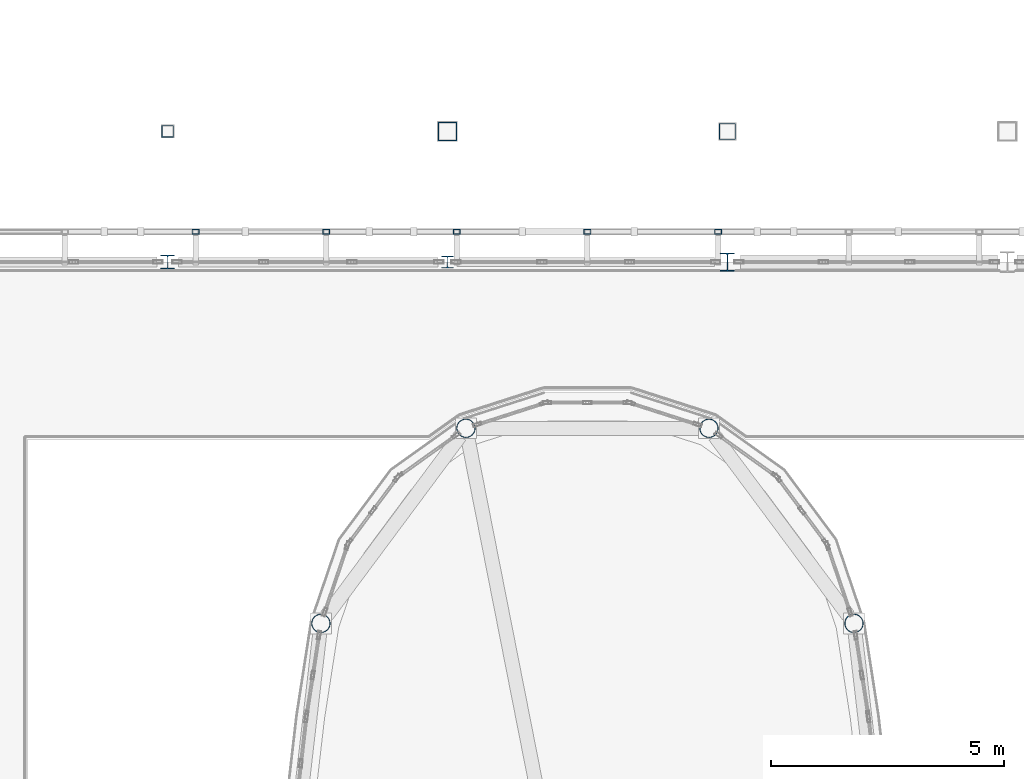
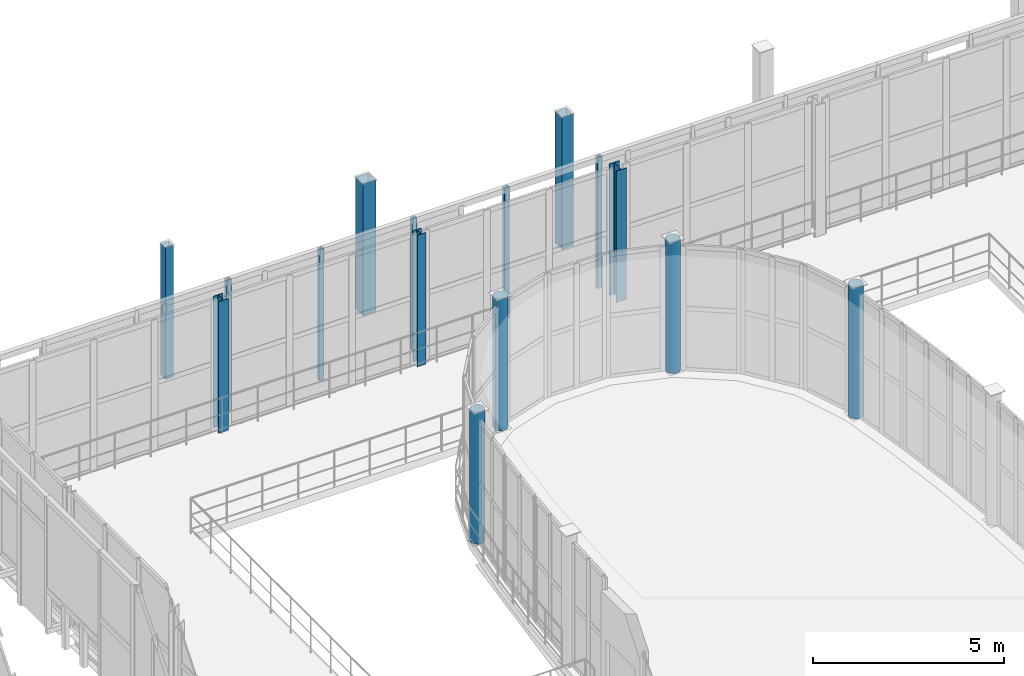
# One storey, part 13 of 121: 15 columns.
"""IFC4 building model written with IfcOpenShell, lengths in metres."""

from ifc_helpers import new_model, si_unit, direction, frame, origin, origin_2d, place, context, subcontext, project, spatial, hollow_rectangle, hollow_circle, i_section, extrude, material, material_profile, profile_set, type_object, element, save


model = new_model("IFC4")

# Units and contexts
model_context = context("Model", 3, precision=1e-05, world=origin(), true_north=direction((0.0, 1.0)))
body_context = subcontext(model_context, "Body", "Model", "MODEL_VIEW")
ifc_project = project(units=[si_unit("LENGTHUNIT", "METRE"), si_unit("AREAUNIT", "SQUARE_METRE"), si_unit("VOLUMEUNIT", "CUBIC_METRE"), si_unit("PLANEANGLEUNIT", "RADIAN"), si_unit("MASSUNIT", "GRAM", prefix="KILO")], contexts=[model_context])

# Site, building, storey
site_placement = place(None, origin())
site = spatial("IfcSite", under=ifc_project, at=site_placement, CompositionType="ELEMENT")
building_placement = place(site_placement, origin())
building = spatial("IfcBuilding", under=site, at=building_placement, Name="Vinh Khe Railworks Police Headquarters", CompositionType="ELEMENT")
storey_placement = place(building_placement, frame((0.0, 0.0, 4.800048828125)))
storey = spatial("IfcBuildingStorey", under=building, at=storey_placement, Name="L01", CompositionType="ELEMENT", Elevation=4.800048828125)

# Columns
ifc_material = material(Name="Steel S355JR", Category="steel")
ifc_material_profile_1 = material_profile(ifc_material, hollow_rectangle(XDim=0.14990234375, YDim=0.10009765625, WallThickness=0.008056640625, at=origin_2d()), Name="RHS 150x100x8")
ifc_profile_set_1 = profile_set([ifc_material_profile_1], Name="Steel S355JR")
column_type_1 = type_object("IfcColumnType", Name="COL-QUILT-POST", PredefinedType="COLUMN", material=ifc_profile_set_1)
for number, where, z_axis, x_axis, name in (
    (1, (34.800048828125, 59.449951171875, 0.0), (0.0, 0.0, 1.0), (1.0, 0.0, 0.0), "Patchwork Quilt Carrier Column N-4 (L01)"),
    (2, (37.60009765625, 59.449951171875, 0.0), (0.0, 0.0, 1.0), (1.0, 0.0, 0.0), "Patchwork Quilt Carrier Column N-5 (L01)"),
    (3, (40.39990234375, 59.449951171875, 0.0), (0.0, 0.0, 1.0), (1.0, 0.0, 0.0), "Patchwork Quilt Carrier Column N-6 (L01)"),
    (4, (43.199951171875, 59.449951171875, 0.0), (0.0, 0.0, 1.0), (1.0, 0.0, 0.0), "Patchwork Quilt Carrier Column N-7 (L01)"),
    (5, (46.0, 59.449951171875, 0.0), (0.0, 0.0, 1.0), (1.0, 0.0, 0.0), "Patchwork Quilt Carrier Column N-8 (L01)"),
):
    element("IfcColumn", number, at=place(storey_placement, frame(where, z_axis=z_axis, x_axis=x_axis)), inside=storey, type_object=column_type_1, Name=name, PredefinedType="COLUMN", context=body_context, shape_type="SweptSolid", body=[
        extrude(hollow_rectangle(XDim=0.14990234375, YDim=0.10009765625, WallThickness=0.008056640625, at=origin_2d()), origin(), (0.0, 0.0, 1.0), 4.199951171875),
    ])
ifc_material_profile_2 = material_profile(ifc_material, hollow_circle(Radius=0.203125, WallThickness=0.01611328125, at=origin_2d()), Name="CHS 406.4x16")
ifc_profile_set_2 = profile_set([ifc_material_profile_2], Name="Steel S355JR")
column_type_2 = type_object("IfcColumnType", Name="Steel Column CHS 406.4x16", PredefinedType="COLUMN", material=ifc_profile_set_2)
for number, where, z_axis, x_axis, name in (
    (6, (37.48681640625, 51.055908203125, 0.0), (0.0, 0.0, 1.0), (-0.988148142789, 0.15350325046, 0.0), "Column COL-L01-SC-26-0846"),
    (7, (40.594970703125, 55.237548828125, 0.0), (0.0, 0.0, 1.0), (-0.581981048437, 0.813202348287, 0.0), "Column COL-L01-SC-26-0885"),
    (8, (45.80517578125, 55.237548828125, 0.0), (0.0, 0.0, 1.0), (0.30552912238, 0.952182732136, 0.0), "Column COL-L01-SC-26-0895"),
    (9, (48.9130859375, 51.055908203125, 0.0), (0.0, 0.0, 1.0), (0.946480392435, 0.322761315426, 0.0), "Column COL-L01-SC-26-0946"),
):
    element("IfcColumn", number, at=place(storey_placement, frame(where, z_axis=z_axis, x_axis=x_axis)), inside=storey, type_object=column_type_2, Name=name, PredefinedType="COLUMN", context=body_context, shape_type="SweptSolid", body=[
        extrude(hollow_circle(Radius=0.203125, WallThickness=0.01611328125, at=origin_2d()), origin(), (0.0, 0.0, 1.0), 4.199951171875),
    ])
ifc_material_profile_3 = material_profile(ifc_material, i_section(OverallWidth=0.300048828125, OverallDepth=0.389892578125, WebThickness=0.010986328125, FlangeThickness=0.01904296875, FilletRadius=0.027099609375, at=origin_2d()), Name="HEA 400")
ifc_profile_set_3 = profile_set([ifc_material_profile_3], Name="Steel S355JR")
column_type_3 = type_object("IfcColumnType", Name="Steel Column HEA 400", PredefinedType="COLUMN", material=ifc_profile_set_3)
column_1_placement = place(storey_placement, frame((46.199951171875, 58.800048828125, 0.0), z_axis=(0.0, 0.0, 1.0), x_axis=(1.0, 0.0, 0.0)))
element("IfcColumn", 10, at=column_1_placement, inside=storey, type_object=column_type_3, Name="Column COL-L01-SC-15-0914", PredefinedType="COLUMN", context=body_context, shape_type="SweptSolid", body=[
    extrude(i_section(OverallWidth=0.300048828125, OverallDepth=0.389892578125, WebThickness=0.010986328125, FlangeThickness=0.01904296875, FilletRadius=0.027099609375, at=origin_2d()), origin(), (0.0, 0.0, 1.0), 4.199951171875),
])
ifc_material_profile_4 = material_profile(ifc_material, i_section(OverallWidth=0.260009765625, OverallDepth=0.260009765625, WebThickness=0.010009765625, FlangeThickness=0.017578125, FilletRadius=0.02392578125, at=origin_2d()), Name="HEB 260")
ifc_profile_set_4 = profile_set([ifc_material_profile_4], Name="Steel S355JR")
column_type_4 = type_object("IfcColumnType", Name="Steel Column HEB 260", PredefinedType="COLUMN", material=ifc_profile_set_4)
column_2_placement = place(storey_placement, frame((40.199951171875, 58.800048828125, 0.0), z_axis=(0.0, 0.0, 1.0), x_axis=(1.0, 0.0, 0.0)))
element("IfcColumn", 11, at=column_2_placement, inside=storey, type_object=column_type_4, Name="Column COL-L01-SC-12-0865", PredefinedType="COLUMN", context=body_context, shape_type="SweptSolid", body=[
    extrude(i_section(OverallWidth=0.260009765625, OverallDepth=0.260009765625, WebThickness=0.010009765625, FlangeThickness=0.017578125, FilletRadius=0.02392578125, at=origin_2d()), origin(), (0.0, 0.0, 1.0), 4.199951171875),
])
ifc_material_profile_5 = material_profile(ifc_material, i_section(OverallWidth=0.300048828125, OverallDepth=0.300048828125, WebThickness=0.010986328125, FlangeThickness=0.01904296875, FilletRadius=0.027099609375, at=origin_2d()), Name="HEB 300")
ifc_profile_set_5 = profile_set([ifc_material_profile_5], Name="Steel S355JR")
column_type_5 = type_object("IfcColumnType", Name="Steel Column HEB 300", PredefinedType="COLUMN", material=ifc_profile_set_5)
column_3_placement = place(storey_placement, frame((34.199951171875, 58.800048828125, 0.0), z_axis=(0.0, 0.0, 1.0), x_axis=(1.0, 0.0, 0.0)))
element("IfcColumn", 12, at=column_3_placement, inside=storey, type_object=column_type_5, Name="Column COL-L01-SC-11-0796", PredefinedType="COLUMN", context=body_context, shape_type="SweptSolid", body=[
    extrude(i_section(OverallWidth=0.300048828125, OverallDepth=0.300048828125, WebThickness=0.010986328125, FlangeThickness=0.01904296875, FilletRadius=0.027099609375, at=origin_2d()), origin(), (0.0, 0.0, 1.0), 4.199951171875),
])
ifc_material_profile_6 = material_profile(ifc_material, hollow_rectangle(XDim=0.25, YDim=0.25, WallThickness=0.012451171875, at=origin_2d()), Name="SHS 250x250x12.5")
ifc_profile_set_6 = profile_set([ifc_material_profile_6], Name="Steel S355JR")
column_type_6 = type_object("IfcColumnType", Name="Steel Column SHS 250x250x12.5", PredefinedType="COLUMN", material=ifc_profile_set_6)
column_4_placement = place(storey_placement, frame((34.199951171875, 61.60009765625, 0.0), z_axis=(0.0, 0.0, 1.0), x_axis=(1.0, 0.0, 0.0)))
element("IfcColumn", 13, at=column_4_placement, inside=storey, type_object=column_type_6, Name="Column COL-L01-SC-24-0801", PredefinedType="COLUMN", context=body_context, shape_type="SweptSolid", body=[
    extrude(hollow_rectangle(XDim=0.25, YDim=0.25, WallThickness=0.012451171875, at=origin_2d()), origin(), (0.0, 0.0, 1.0), 4.199951171875),
])
ifc_material_profile_7 = material_profile(ifc_material, hollow_rectangle(XDim=0.35009765625, YDim=0.35009765625, WallThickness=0.01611328125, at=origin_2d()), Name="SHS 350x350x16")
ifc_profile_set_7 = profile_set([ifc_material_profile_7], Name="Steel S355JR")
column_type_7 = type_object("IfcColumnType", Name="Steel Column SHS 350x350x16", PredefinedType="COLUMN", material=ifc_profile_set_7)
column_5_placement = place(storey_placement, frame((46.199951171875, 61.60009765625, 0.0), z_axis=(0.0, 0.0, 1.0), x_axis=(1.0, 0.0, 0.0)))
element("IfcColumn", 14, at=column_5_placement, inside=storey, type_object=column_type_7, Name="Column COL-L01-SC-22-0919", PredefinedType="COLUMN", context=body_context, shape_type="SweptSolid", body=[
    extrude(hollow_rectangle(XDim=0.35009765625, YDim=0.35009765625, WallThickness=0.01611328125, at=origin_2d()), origin(), (0.0, 0.0, 1.0), 4.199951171875),
])
ifc_material_profile_8 = material_profile(ifc_material, hollow_rectangle(XDim=0.39990234375, YDim=0.39990234375, WallThickness=0.02001953125, at=origin_2d()), Name="SHS 400x400x20")
ifc_profile_set_8 = profile_set([ifc_material_profile_8], Name="Steel S355JR")
column_type_8 = type_object("IfcColumnType", Name="Steel Column SHS 400x400x20", PredefinedType="COLUMN", material=ifc_profile_set_8)
column_6_placement = place(storey_placement, frame((40.199951171875, 61.60009765625, 0.0), z_axis=(0.0, 0.0, 1.0), x_axis=(1.0, 0.0, 0.0)))
element("IfcColumn", 15, at=column_6_placement, inside=storey, type_object=column_type_8, Name="Column COL-L01-SC-21-0870", PredefinedType="COLUMN", context=body_context, shape_type="SweptSolid", body=[
    extrude(hollow_rectangle(XDim=0.39990234375, YDim=0.39990234375, WallThickness=0.02001953125, at=origin_2d()), origin(), (0.0, 0.0, 1.0), 4.199951171875),
])

save(model, "model.ifc")
